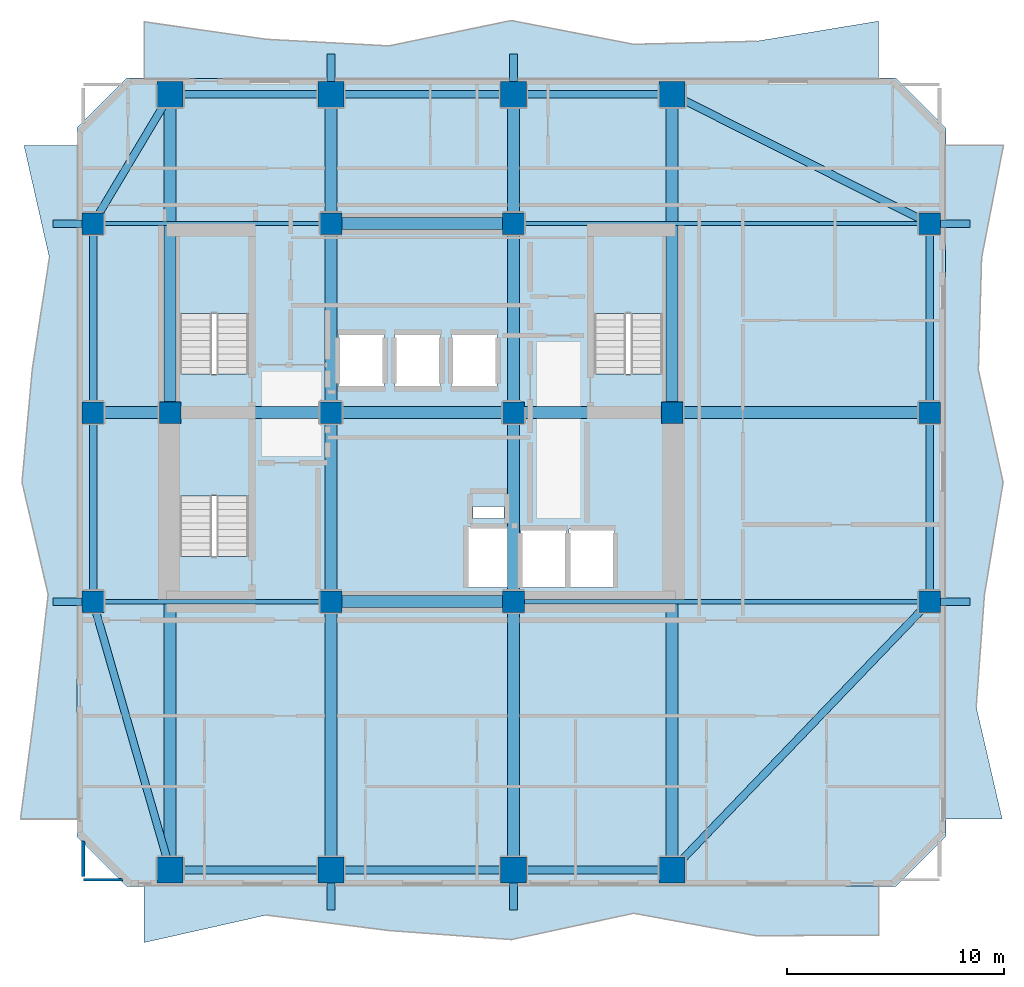
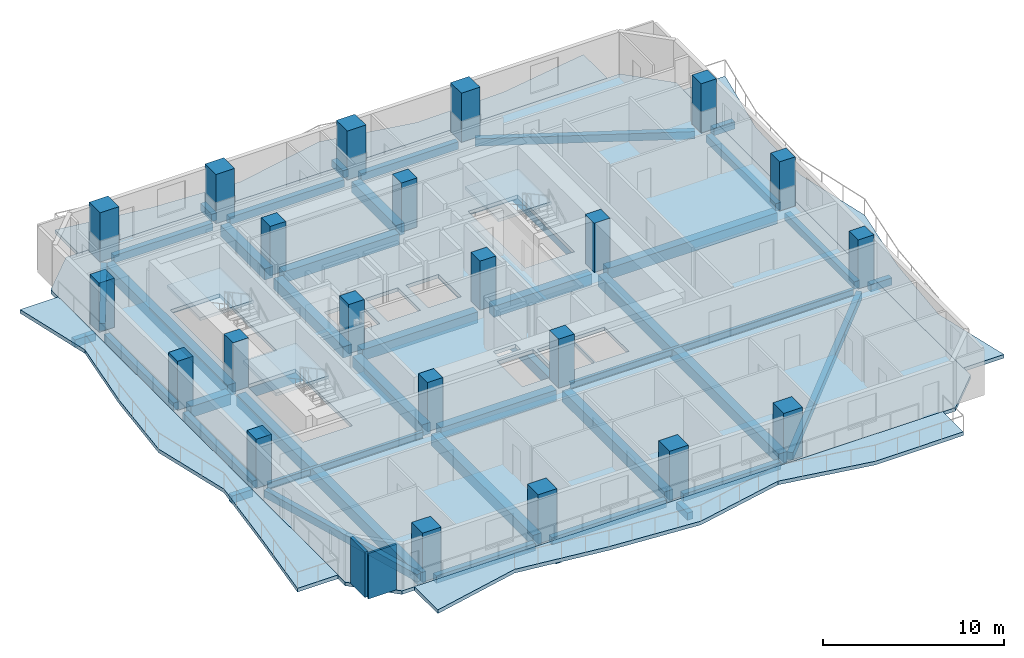
# One storey, part 1 of 9: 45 beams, 22 columns, 8 slabs, 2 walls, 3 elements without a shape of their own.
"""IFC4 building model written with IfcOpenShell, lengths in metres."""

import ifcopenshell
import ifcopenshell.guid

model = None  # the IFC model being written
_history = None  # IfcOwnerHistory: only IFC2X3 demands one
_inside = {}  # id of a spatial element -> (the spatial element, [elements in it])
_under = {}  # id of a project, library or spatial element -> (it, [spatial elements below it])
_declared = {}  # id of a project -> (the project, [libraries it declares])
_typed = {}  # id of a type object -> (the type object, [elements of that type])
_made_of = {}  # id of a material, layer set ... -> (it, [elements and type objects made of it])


def new_model(schema):
    """Start an empty IFC model of exactly this schema.

    Asked for "IFC4X3", IfcOpenShell would pick the latest addendum, in which some entities
    have other attributes; the version numbers below select the first issue.
    IFC2X3 requires an IfcOwnerHistory on every rooted entity: one is made here for all.
    """
    global model, _history
    if schema == "IFC4X3":
        model = ifcopenshell.file(schema_version=(4, 3, 0, 0))
    else:
        model = ifcopenshell.file(schema=schema)
    _inside.clear()
    _under.clear()
    _declared.clear()
    _typed.clear()
    _made_of.clear()
    _history = None
    if model.schema == "IFC2X3":
        org = make("IfcOrganization", Name="unknown")
        user = make(
            "IfcPersonAndOrganization",
            ThePerson=make("IfcPerson", FamilyName="unknown"),
            TheOrganization=org,
        )
        app = make(
            "IfcApplication",
            ApplicationDeveloper=org,
            Version="unknown",
            ApplicationFullName="unknown",
            ApplicationIdentifier="unknown",
        )
        _history = make(
            "IfcOwnerHistory",
            OwningUser=user,
            OwningApplication=app,
            ChangeAction="ADDED",
            CreationDate=0,
        )
    return model


def make(cls, **values):
    """One entity of the class cls with the attributes given. An attribute that is None is left unset."""
    return model.create_entity(
        cls, **{name: value for name, value in values.items() if value is not None}
    )


def rooted(cls, **values):
    """An entity with a GlobalId (a new one), such as an element, a storey or a relation."""
    return make(cls, GlobalId=ifcopenshell.guid.new(), OwnerHistory=_history, **values)


def si_unit(unit_type, name, prefix=None):
    """IfcSIUnit, for example si_unit("LENGTHUNIT", "METRE", prefix="MILLI")."""
    return make("IfcSIUnit", UnitType=unit_type, Prefix=prefix, Name=name)


def assignment(units):
    """IfcUnitAssignment: the units of a project."""
    return None if units is None else make("IfcUnitAssignment", Units=units)


def point(xyz):
    """IfcCartesianPoint."""
    return None if xyz is None else make("IfcCartesianPoint", Coordinates=xyz)


def direction(xyz):
    """IfcDirection."""
    return None if xyz is None else make("IfcDirection", DirectionRatios=xyz)


def frame(location, z_axis=None, x_axis=None):
    """IfcAxis2Placement3D, a coordinate frame: its origin and axes. An axis left out is left unset."""
    return make(
        "IfcAxis2Placement3D",
        Location=point(location),
        Axis=direction(z_axis),
        RefDirection=direction(x_axis),
    )


def frame_2d(location, x_axis=None):
    """IfcAxis2Placement2D, a coordinate frame in the plane: its origin and x axis."""
    return make(
        "IfcAxis2Placement2D", Location=point(location), RefDirection=direction(x_axis)
    )


def origin():
    """The frame at (0, 0, 0) with its axes left unset."""
    return frame((0.0, 0.0, 0.0))


def origin_2d():
    """The frame at (0, 0) in the plane with its x axis left unset."""
    return frame_2d((0.0, 0.0))


def place(relative_to, where):
    """IfcLocalPlacement: puts the frame where relative to a parent placement (None: the world)."""
    return make(
        "IfcLocalPlacement", PlacementRelTo=relative_to, RelativePlacement=where
    )


def context(
    kind, dimensions, precision=None, world=None, true_north=None, identifier=None
):
    """IfcGeometricRepresentationContext, for example the 3D "Model" context."""
    return make(
        "IfcGeometricRepresentationContext",
        ContextIdentifier=identifier,
        ContextType=kind,
        CoordinateSpaceDimension=dimensions,
        Precision=precision,
        WorldCoordinateSystem=world,
        TrueNorth=true_north,
    )


def subcontext(parent, identifier, kind, view, scale=None):
    """IfcGeometricRepresentationSubContext, for example "Body" below "Model"."""
    return make(
        "IfcGeometricRepresentationSubContext",
        ContextIdentifier=identifier,
        ContextType=kind,
        ParentContext=parent,
        TargetScale=scale,
        TargetView=view,
    )


def project(units=None, contexts=None):
    """IfcProject with its units and contexts."""
    return rooted(
        "IfcProject",
        Name="project",
        RepresentationContexts=contexts,
        UnitsInContext=assignment(units),
    )


def spatial(cls, under=None, at=None, **own):
    """A site, building, storey or space (cls), placed at a placement, below another one or the project."""
    s = rooted(cls, ObjectPlacement=at, **own)
    if under is not None:
        _under.setdefault(under.id(), (under, []))[1].append(s)
    return s


def polyline(points):
    """IfcPolyline through the points."""
    return make("IfcPolyline", Points=[point(p) for p in points])


def profile(cls, at=None, kind="AREA", **sizes):
    """A parametric profile (cls). Its sizes go by their IFC names, for example OverallWidth=200.0."""
    return make(cls, ProfileType=kind, Position=at, **sizes)


def rectangle(**sizes):
    """IfcRectangleProfileDef."""
    return profile("IfcRectangleProfileDef", **sizes)


def i_section(**sizes):
    """IfcIShapeProfileDef."""
    return profile("IfcIShapeProfileDef", **sizes)


def outline(outer, holes=None, kind="AREA"):
    """IfcArbitraryClosedProfileDef: a profile drawn as a closed curve; with holes, ...WithVoids."""
    if holes is None:
        return make("IfcArbitraryClosedProfileDef", ProfileType=kind, OuterCurve=outer)
    return make(
        "IfcArbitraryProfileDefWithVoids",
        ProfileType=kind,
        OuterCurve=outer,
        InnerCurves=holes,
    )


def extrude(swept, where, along, depth):
    """IfcExtrudedAreaSolid: the profile swept, set in the frame where, extruded along a direction by depth."""
    return make(
        "IfcExtrudedAreaSolid",
        SweptArea=swept,
        Position=where,
        ExtrudedDirection=direction(along),
        Depth=depth,
    )


def shape(context_of_items, identifier, shape_type, items):
    """IfcShapeRepresentation: the items that make up one representation, for example the "Body"."""
    return make(
        "IfcShapeRepresentation",
        ContextOfItems=context_of_items,
        RepresentationIdentifier=identifier,
        RepresentationType=shape_type,
        Items=items,
    )


def material(Name=None, Category=None):
    """IfcMaterial."""
    return make("IfcMaterial", Name=Name, Category=Category)


def layer(
    of_material, thickness, ventilated=None, Name=None, Category=None, Priority=None
):
    """IfcMaterialLayer: one layer of a wall or slab, of a material (None: an air gap)."""
    return make(
        "IfcMaterialLayer",
        Material=of_material,
        LayerThickness=thickness,
        IsVentilated=ventilated,
        Name=Name,
        Category=Category,
        Priority=Priority,
    )


def layer_set(layers, Name=None):
    """IfcMaterialLayerSet."""
    return make("IfcMaterialLayerSet", MaterialLayers=layers, LayerSetName=Name)


def material_profile(
    of_material, cross_section, Name=None, Category=None, Priority=None
):
    """IfcMaterialProfile: a cross section and its material."""
    return make(
        "IfcMaterialProfile",
        Name=Name,
        Material=of_material,
        Profile=cross_section,
        Priority=Priority,
        Category=Category,
    )


def profile_set(profiles, Name=None, composite=None):
    """IfcMaterialProfileSet."""
    return make(
        "IfcMaterialProfileSet",
        Name=Name,
        MaterialProfiles=profiles,
        CompositeProfile=composite,
    )


def made_of(thing, what):
    """Note that an element or type object is made of a material, layer set ...; save() writes the relation."""
    if what is not None:
        _made_of.setdefault(what.id(), (what, []))[1].append(thing)
    return thing


def type_object(cls, material=None, **own):
    """A type object (cls), such as IfcWallType, which elements share."""
    return made_of(rooted(cls, **own), material)


def element(
    cls,
    number,
    at=None,
    inside=None,
    cuts=None,
    type_object=None,
    material=None,
    context=None,
    identifier="Body",
    shape_type=None,
    held_by="IfcProductDefinitionShape",
    body=None,
    shapes=None,
    **own,
):
    """One element of the class cls, such as IfcWall. Its Tag is "e" and its number.

    at: its placement. inside: the storey or other place that contains it. cuts: it is an
    opening in that element (IfcRelVoidsElement). A single representation is given by context,
    identifier, shape_type and body (its items); several are given by shapes. held_by: the class
    of the entity that holds the representations. save() writes the other relations.
    """
    e = rooted(cls, Tag="e%d" % number, ObjectPlacement=at, **own)
    if body is not None:
        shapes = [shape(context, identifier, shape_type, body)]
    if shapes is not None:
        e.Representation = make(held_by, Representations=shapes)
    if inside is not None:
        _inside.setdefault(inside.id(), (inside, []))[1].append(e)
    if cuts is not None:
        rooted(
            "IfcRelVoidsElement", RelatingBuildingElement=cuts, RelatedOpeningElement=e
        )
    if type_object is not None:
        _typed.setdefault(type_object.id(), (type_object, []))[1].append(e)
    return made_of(e, material)


def aggregate(whole, parts):
    """IfcRelAggregates: a whole, such as a stair, and the parts it consists of."""
    return rooted("IfcRelAggregates", RelatingObject=whole, RelatedObjects=parts)


def save(model, path):
    """Write the relations noted so far, then the file.

    IfcRelAggregates (storeys below a building ...), IfcRelContainedInSpatialStructure (elements
    in a storey), IfcRelDefinesByType, IfcRelAssociatesMaterial and IfcRelDeclares: one each for
    every whole, place, type object, material and project.
    """
    for whole, parts in _under.values():
        aggregate(whole, parts)
    for where, things in _inside.values():
        rooted(
            "IfcRelContainedInSpatialStructure",
            RelatedElements=things,
            RelatingStructure=where,
        )
    for kind, things in _typed.values():
        rooted("IfcRelDefinesByType", RelatedObjects=things, RelatingType=kind)
    for what, things in _made_of.values():
        rooted("IfcRelAssociatesMaterial", RelatedObjects=things, RelatingMaterial=what)
    for by, libraries in _declared.values():
        rooted("IfcRelDeclares", RelatingContext=by, RelatedDefinitions=libraries)
    model.write(path)


model = new_model("IFC4")

# Units and contexts
model_context = context("Model", 3, precision=1e-05, world=origin(), true_north=direction((0.0, 1.0)))
body_context = subcontext(model_context, "Body", "Model", "MODEL_VIEW")
ifc_project = project(units=[si_unit("LENGTHUNIT", "METRE"), si_unit("AREAUNIT", "SQUARE_METRE"), si_unit("VOLUMEUNIT", "CUBIC_METRE"), si_unit("PLANEANGLEUNIT", "RADIAN"), si_unit("MASSUNIT", "GRAM", prefix="KILO")], contexts=[model_context])

# Site, building, storey
site_placement = place(None, origin())
site = spatial("IfcSite", under=ifc_project, at=site_placement, CompositionType="ELEMENT")
building_placement = place(site_placement, origin())
building = spatial("IfcBuilding", under=site, at=building_placement, Name="Solanera Arch Residences", CompositionType="ELEMENT")
storey_placement = place(building_placement, frame((0.0, 0.0, 129.320068359375)))
storey = spatial("IfcBuildingStorey", under=building, at=storey_placement, Name="L37", CompositionType="ELEMENT", Elevation=129.320068359375)

# Columns
ifc_material_1 = material(Name="Concrete C55/67 (f'c = 60 MPa)", Category="concrete")
ifc_material_profile_1 = material_profile(ifc_material_1, rectangle(XDim=1.0, YDim=1.0, at=origin_2d()))
ifc_profile_set_1 = profile_set([ifc_material_profile_1], Name="Concrete C55/67 (f'c = 60 MPa)")
column_type_1 = type_object("IfcColumnType", Name="Structural Column RC-COL-1000X1000", PredefinedType="COLUMN", material=ifc_profile_set_1)
for number, where, z_axis, x_axis, name in (
    (1, (20.800048828125, 22.0, 0.0), (0.0, 0.0, 1.0), (1.0, 0.0, 0.0), "COL-L37-CB-SW"),
    (2, (29.199951171875, 22.0, 0.0), (0.0, 0.0, 1.0), (1.0, 0.0, 0.0), "COL-L37-CB-SE"),
    (3, (20.800048828125, 39.39990234375, 0.0), (0.0, 0.0, 1.0), (1.0, 0.0, 0.0), "COL-L37-CB-NW"),
    (4, (29.199951171875, 39.39990234375, 0.0), (0.0, 0.0, 1.0), (1.0, 0.0, 0.0), "COL-L37-CB-NE"),
    (5, (13.39990234375, 30.699951171875, 0.0), (0.0, 0.0, 1.0), (1.0, 0.0, 0.0), "COL-L37-CB-WW"),
    (6, (36.5, 30.699951171875, 0.0), (0.0, 0.0, 1.0), (1.0, 0.0, 0.0), "COL-L37-CB-EE"),
    (7, (20.800048828125, 30.699951171875, 0.0), (0.0, 0.0, 1.0), (1.0, 0.0, 0.0), "COL-L37-CORE-W"),
    (8, (29.199951171875, 30.699951171875, 0.0), (0.0, 0.0, 1.0), (1.0, 0.0, 0.0), "COL-L37-CORE-E"),
    (9, (9.85009765625, 22.0, 0.0), (0.0, 0.0, 1.0), (1.0, 0.0, 0.0), "COL-L37-TWR-09"),
    (10, (48.35009765625, 22.0, 0.0), (0.0, 0.0, 1.0), (1.0, 0.0, 0.0), "COL-L37-TWR-10"),
    (11, (9.85009765625, 30.699951171875, 0.0), (0.0, 0.0, 1.0), (1.0, 0.0, 0.0), "COL-L37-TWR-11"),
    (12, (48.35009765625, 30.699951171875, 0.0), (0.0, 0.0, 1.0), (1.0, 0.0, 0.0), "COL-L37-TWR-12"),
    (13, (9.85009765625, 39.39990234375, 0.0), (0.0, 0.0, 1.0), (1.0, 0.0, 0.0), "COL-L37-TWR-13"),
    (14, (48.35009765625, 39.39990234375, 0.0), (0.0, 0.0, 1.0), (1.0, 0.0, 0.0), "COL-L37-TWR-14"),
):
    element("IfcColumn", number, at=place(storey_placement, frame(where, z_axis=z_axis, x_axis=x_axis)), inside=storey, type_object=column_type_1, Name=name, PredefinedType="COLUMN", context=body_context, shape_type="SweptSolid", body=[
        extrude(rectangle(XDim=1.0, YDim=1.0, at=origin_2d()), origin(), (0.0, 0.0, 1.0), 3.31982421875),
    ])
ifc_material_2 = material(Name="Concrete C55/67 (f'c = 60 MPa)", Category="concrete")
ifc_material_profile_2 = material_profile(ifc_material_2, rectangle(XDim=1.199951171875, YDim=1.199951171875, at=origin_2d()))
ifc_profile_set_2 = profile_set([ifc_material_profile_2], Name="Concrete C55/67 (f'c = 60 MPa)")
column_type_2 = type_object("IfcColumnType", Name="Structural Column RC-COL-1200X1200", PredefinedType="COLUMN", material=ifc_profile_set_2)
for number, where, z_axis, x_axis, name in (
    (15, (13.39990234375, 9.64990234375, 0.0), (0.0, 0.0, 1.0), (1.0, 0.0, 0.0), "COL-L37-TWR-01"),
    (16, (13.39990234375, 45.35009765625, 0.0), (0.0, 0.0, 1.0), (1.0, 0.0, 0.0), "COL-L37-TWR-02"),
    (17, (20.800048828125, 9.64990234375, 0.0), (0.0, 0.0, 1.0), (1.0, 0.0, 0.0), "COL-L37-TWR-03"),
    (18, (20.800048828125, 45.35009765625, 0.0), (0.0, 0.0, 1.0), (1.0, 0.0, 0.0), "COL-L37-TWR-04"),
    (19, (29.199951171875, 9.64990234375, 0.0), (0.0, 0.0, 1.0), (1.0, 0.0, 0.0), "COL-L37-TWR-05"),
    (20, (29.199951171875, 45.35009765625, 0.0), (0.0, 0.0, 1.0), (1.0, 0.0, 0.0), "COL-L37-TWR-06"),
    (21, (36.5, 9.64990234375, 0.0), (0.0, 0.0, 1.0), (1.0, 0.0, 0.0), "COL-L37-TWR-07"),
    (22, (36.5, 45.35009765625, 0.0), (0.0, 0.0, 1.0), (1.0, 0.0, 0.0), "COL-L37-TWR-08"),
):
    element("IfcColumn", number, at=place(storey_placement, frame(where, z_axis=z_axis, x_axis=x_axis)), inside=storey, type_object=column_type_2, Name=name, PredefinedType="COLUMN", context=body_context, shape_type="SweptSolid", body=[
        extrude(rectangle(XDim=1.199951171875, YDim=1.199951171875, at=origin_2d()), origin(), (0.0, 0.0, 1.0), 3.31982421875),
    ])

# Beams
ifc_material_3 = material(Name="Concrete C40/50 (f'c = 45 MPa)", Category="concrete")
ifc_material_profile_3 = material_profile(ifc_material_3, rectangle(XDim=0.35009765625, YDim=0.5, at=origin_2d()))
ifc_profile_set_3 = profile_set([ifc_material_profile_3], Name="Concrete C40/50 (f'c = 45 MPa)")
beam_type_1 = type_object("IfcBeamType", Name="BM-BALC-RIB", PredefinedType="BEAM", material=ifc_profile_set_3)
for number, where, z_axis, x_axis, name in (
    (23, (20.800048828125, 7.800048828125, -0.5), (0.0, 1.0, 0.0), (-1.0, 0.0, 0.0), "BM-L37-BRIB-S1"),
    (24, (29.199951171875, 7.800048828125, -0.5), (0.0, 1.0, 0.0), (-1.0, 0.0, 0.0), "BM-L37-BRIB-S2"),
    (25, (20.800048828125, 45.949951171875, -0.5), (0.0, 1.0, 0.0), (-1.0, 0.0, 0.0), "BM-L37-BRIB-N1"),
    (26, (29.199951171875, 45.949951171875, -0.5), (0.0, 1.0, 0.0), (-1.0, 0.0, 0.0), "BM-L37-BRIB-N2"),
):
    element("IfcBeam", number, at=place(storey_placement, frame(where, z_axis=z_axis, x_axis=x_axis)), inside=storey, type_object=beam_type_1, Name=name, PredefinedType="BEAM", context=body_context, shape_type="SweptSolid", body=[
        extrude(rectangle(XDim=0.35009765625, YDim=0.5, at=origin_2d()), origin(), (0.0, 0.0, 1.0), 1.25),
    ])
for number, where, z_axis, x_axis, name in (
    (27, (48.85009765625, 22.0, -0.5), (1.0, 0.0, 0.0), (0.0, 1.0, 0.0), "BM-L37-BRIB-E1"),
    (28, (48.85009765625, 39.39990234375, -0.5), (1.0, 0.0, 0.0), (0.0, 1.0, 0.0), "BM-L37-BRIB-E2"),
):
    element("IfcBeam", number, at=place(storey_placement, frame(where, z_axis=z_axis, x_axis=x_axis)), inside=storey, type_object=beam_type_1, Name=name, PredefinedType="BEAM", context=body_context, shape_type="SweptSolid", body=[
        extrude(rectangle(XDim=0.35009765625, YDim=0.5, at=origin_2d()), origin(), (0.0, 0.0, 1.0), 1.349853515625),
    ])
for number, where, z_axis, x_axis, name in (
    (29, (8.0, 22.0, -0.5), (1.0, 0.0, 0.0), (0.0, 1.0, 0.0), "BM-L37-BRIB-W1"),
    (30, (8.0, 39.39990234375, -0.5), (1.0, 0.0, 0.0), (0.0, 1.0, 0.0), "BM-L37-BRIB-W2"),
):
    element("IfcBeam", number, at=place(storey_placement, frame(where, z_axis=z_axis, x_axis=x_axis)), inside=storey, type_object=beam_type_1, Name=name, PredefinedType="BEAM", context=body_context, shape_type="SweptSolid", body=[
        extrude(rectangle(XDim=0.35009765625, YDim=0.5, at=origin_2d()), origin(), (0.0, 0.0, 1.0), 1.35009765625),
    ])
ifc_material_4 = material(Name="Concrete C40/50 (f'c = 45 MPa)", Category="concrete")
ifc_material_profile_4 = material_profile(ifc_material_4, rectangle(XDim=0.550048828125, YDim=0.75, at=origin_2d()))
ifc_profile_set_4 = profile_set([ifc_material_profile_4], Name="Concrete C40/50 (f'c = 45 MPa)")
beam_type_2 = type_object("IfcBeamType", Name="Primary Beam RC-BM-550X750", PredefinedType="BEAM", material=ifc_profile_set_4)
beam_1_placement = place(storey_placement, frame((20.800048828125, 22.50390625, -0.614990234375), z_axis=(0.0, 1.0, 0.0), x_axis=(-1.0, 0.0, 0.0)))
element("IfcBeam", 31, at=beam_1_placement, inside=storey, type_object=beam_type_2, Name="BM-L37-CC-S-208", PredefinedType="BEAM", context=body_context, shape_type="SweptSolid", body=[
    extrude(rectangle(XDim=0.550048828125, YDim=0.75, at=origin_2d()), origin(), (0.0, 0.0, 1.0), 7.692138671875),
])
beam_2_placement = place(storey_placement, frame((20.800048828125, 31.2041015625, -0.614990234375), z_axis=(0.0, 1.0, 0.0), x_axis=(-1.0, 0.0, 0.0)))
element("IfcBeam", 32, at=beam_2_placement, inside=storey, type_object=beam_type_2, Name="BM-L37-CC-N-208", PredefinedType="BEAM", context=body_context, shape_type="SweptSolid", body=[
    extrude(rectangle(XDim=0.550048828125, YDim=0.75, at=origin_2d()), origin(), (0.0, 0.0, 1.0), 7.69189453125),
])
beam_3_placement = place(storey_placement, frame((29.199951171875, 22.50390625, -0.614990234375), z_axis=(0.0, 1.0, 0.0), x_axis=(-1.0, 0.0, 0.0)))
element("IfcBeam", 33, at=beam_3_placement, inside=storey, type_object=beam_type_2, Name="BM-L37-CC-S-292", PredefinedType="BEAM", context=body_context, shape_type="SweptSolid", body=[
    extrude(rectangle(XDim=0.550048828125, YDim=0.75, at=origin_2d()), origin(), (0.0, 0.0, 1.0), 7.692138671875),
])
beam_4_placement = place(storey_placement, frame((29.199951171875, 31.2041015625, -0.614990234375), z_axis=(0.0, 1.0, 0.0), x_axis=(-1.0, 0.0, 0.0)))
element("IfcBeam", 34, at=beam_4_placement, inside=storey, type_object=beam_type_2, Name="BM-L37-CC-N-292", PredefinedType="BEAM", context=body_context, shape_type="SweptSolid", body=[
    extrude(rectangle(XDim=0.550048828125, YDim=0.75, at=origin_2d()), origin(), (0.0, 0.0, 1.0), 7.69189453125),
])
for number, where, z_axis, x_axis, name in (
    (35, (21.303955078125, 22.0, -0.614990234375), (1.0, 0.0, 0.0), (0.0, 1.0, 0.0), "BM-L37-CC-M-220"),
    (36, (21.303955078125, 30.699951171875, -0.614990234375), (1.0, 0.0, 0.0), (0.0, 1.0, 0.0), "BM-L37-CC-M-307"),
    (37, (21.303955078125, 39.39990234375, -0.614990234375), (1.0, 0.0, 0.0), (0.0, 1.0, 0.0), "BM-L37-CC-M-394"),
):
    element("IfcBeam", number, at=place(storey_placement, frame(where, z_axis=z_axis, x_axis=x_axis)), inside=storey, type_object=beam_type_2, Name=name, PredefinedType="BEAM", context=body_context, shape_type="SweptSolid", body=[
        extrude(rectangle(XDim=0.550048828125, YDim=0.75, at=origin_2d()), origin(), (0.0, 0.0, 1.0), 7.39208984375),
    ])
beam_5_placement = place(storey_placement, frame((13.904052734375, 30.699951171875, -0.614990234375), z_axis=(1.0, 0.0, 0.0), x_axis=(0.0, 1.0, 0.0)))
element("IfcBeam", 38, at=beam_5_placement, inside=storey, type_object=beam_type_2, Name="BM-L37-CC-W", PredefinedType="BEAM", context=body_context, shape_type="SweptSolid", body=[
    extrude(rectangle(XDim=0.550048828125, YDim=0.75, at=origin_2d()), origin(), (0.0, 0.0, 1.0), 6.391845703125),
])
beam_6_placement = place(storey_placement, frame((29.7041015625, 30.699951171875, -0.614990234375), z_axis=(1.0, 0.0, 0.0), x_axis=(0.0, 1.0, 0.0)))
element("IfcBeam", 39, at=beam_6_placement, inside=storey, type_object=beam_type_2, Name="BM-L37-CC-E", PredefinedType="BEAM", context=body_context, shape_type="SweptSolid", body=[
    extrude(rectangle(XDim=0.550048828125, YDim=0.75, at=origin_2d()), origin(), (0.0, 0.0, 1.0), 6.2919921875),
])
beam_7_placement = place(storey_placement, frame((20.800048828125, 10.18994140625, -0.614990234375), z_axis=(0.0, 1.0, 0.0), x_axis=(-1.0, 0.0, 0.0)))
element("IfcBeam", 40, at=beam_7_placement, inside=storey, type_object=beam_type_2, Name="BM-L37-RAD-S-208", PredefinedType="BEAM", context=body_context, shape_type="SweptSolid", body=[
    extrude(rectangle(XDim=0.550048828125, YDim=0.75, at=origin_2d()), origin(), (0.0, 0.0, 1.0), 11.30615234375),
])
beam_8_placement = place(storey_placement, frame((20.800048828125, 39.904052734375, -0.614990234375), z_axis=(0.0, 1.0, 0.0), x_axis=(-1.0, 0.0, 0.0)))
element("IfcBeam", 41, at=beam_8_placement, inside=storey, type_object=beam_type_2, Name="BM-L37-RAD-N-208", PredefinedType="BEAM", context=body_context, shape_type="SweptSolid", body=[
    extrude(rectangle(XDim=0.550048828125, YDim=0.75, at=origin_2d()), origin(), (0.0, 0.0, 1.0), 4.906005859375),
])
beam_9_placement = place(storey_placement, frame((29.199951171875, 10.18994140625, -0.614990234375), z_axis=(0.0, 1.0, 0.0), x_axis=(-1.0, 0.0, 0.0)))
element("IfcBeam", 42, at=beam_9_placement, inside=storey, type_object=beam_type_2, Name="BM-L37-RAD-S-292", PredefinedType="BEAM", context=body_context, shape_type="SweptSolid", body=[
    extrude(rectangle(XDim=0.550048828125, YDim=0.75, at=origin_2d()), origin(), (0.0, 0.0, 1.0), 11.30615234375),
])
beam_10_placement = place(storey_placement, frame((29.199951171875, 39.904052734375, -0.614990234375), z_axis=(0.0, 1.0, 0.0), x_axis=(-1.0, 0.0, 0.0)))
element("IfcBeam", 43, at=beam_10_placement, inside=storey, type_object=beam_type_2, Name="BM-L37-RAD-N-292", PredefinedType="BEAM", context=body_context, shape_type="SweptSolid", body=[
    extrude(rectangle(XDim=0.550048828125, YDim=0.75, at=origin_2d()), origin(), (0.0, 0.0, 1.0), 4.906005859375),
])
beam_11_placement = place(storey_placement, frame((13.39990234375, 10.18994140625, -0.614990234375), z_axis=(0.0, 1.0, 0.0), x_axis=(-1.0, 0.0, 0.0)))
element("IfcBeam", 44, at=beam_11_placement, inside=storey, type_object=beam_type_2, Name="BM-L37-RAD-OS-134", PredefinedType="BEAM", context=body_context, shape_type="SweptSolid", body=[
    extrude(rectangle(XDim=0.550048828125, YDim=0.75, at=origin_2d()), origin(), (0.0, 0.0, 1.0), 20.006103515625),
])
beam_12_placement = place(storey_placement, frame((13.39990234375, 31.2041015625, -0.614990234375), z_axis=(0.0, 1.0, 0.0), x_axis=(-1.0, 0.0, 0.0)))
element("IfcBeam", 45, at=beam_12_placement, inside=storey, type_object=beam_type_2, Name="BM-L37-RAD-ON-134", PredefinedType="BEAM", context=body_context, shape_type="SweptSolid", body=[
    extrude(rectangle(XDim=0.550048828125, YDim=0.75, at=origin_2d()), origin(), (0.0, 0.0, 1.0), 13.60595703125),
])
beam_13_placement = place(storey_placement, frame((36.5, 10.18994140625, -0.614990234375), z_axis=(0.0, 1.0, 0.0), x_axis=(-1.0, 0.0, 0.0)))
element("IfcBeam", 46, at=beam_13_placement, inside=storey, type_object=beam_type_2, Name="BM-L37-RAD-OS-365", PredefinedType="BEAM", context=body_context, shape_type="SweptSolid", body=[
    extrude(rectangle(XDim=0.550048828125, YDim=0.75, at=origin_2d()), origin(), (0.0, 0.0, 1.0), 20.006103515625),
])
beam_14_placement = place(storey_placement, frame((36.5, 31.2041015625, -0.614990234375), z_axis=(0.0, 1.0, 0.0), x_axis=(-1.0, 0.0, 0.0)))
element("IfcBeam", 47, at=beam_14_placement, inside=storey, type_object=beam_type_2, Name="BM-L37-RAD-ON-365", PredefinedType="BEAM", context=body_context, shape_type="SweptSolid", body=[
    extrude(rectangle(XDim=0.550048828125, YDim=0.75, at=origin_2d()), origin(), (0.0, 0.0, 1.0), 13.60595703125),
])
beam_15_placement = place(storey_placement, frame((10.35400390625, 30.699951171875, -0.614990234375), z_axis=(1.0, 0.0, 0.0), x_axis=(0.0, 1.0, 0.0)))
element("IfcBeam", 48, at=beam_15_placement, inside=storey, type_object=beam_type_2, Name="BM-L37-RAD-MW", PredefinedType="BEAM", context=body_context, shape_type="SweptSolid", body=[
    extrude(rectangle(XDim=0.550048828125, YDim=0.75, at=origin_2d()), origin(), (0.0, 0.0, 1.0), 2.5419921875),
])
beam_16_placement = place(storey_placement, frame((37.00390625, 30.699951171875, -0.614990234375), z_axis=(1.0, 0.0, 0.0), x_axis=(0.0, 1.0, 0.0)))
element("IfcBeam", 49, at=beam_16_placement, inside=storey, type_object=beam_type_2, Name="BM-L37-RAD-ME", PredefinedType="BEAM", context=body_context, shape_type="SweptSolid", body=[
    extrude(rectangle(XDim=0.550048828125, YDim=0.75, at=origin_2d()), origin(), (0.0, 0.0, 1.0), 10.842041015625),
])
ifc_material_5 = material(Name="Steel S355 (ASTM A992 / A572 Grade 50)", Category="steel")
ifc_material_profile_5 = material_profile(ifc_material_5, i_section(OverallWidth=0.19091796875, OverallDepth=0.4599609375, WebThickness=0.010009765625, FlangeThickness=0.01611328125, at=origin_2d()))
ifc_profile_set_5 = profile_set([ifc_material_profile_5], Name="Steel S355 (ASTM A992 / A572 Grade 50)")
beam_type_3 = type_object("IfcBeamType", Name="Secondary Joist W460X82", PredefinedType="JOIST", material=ifc_profile_set_5)
beam_17_placement = place(storey_placement, frame((10.35400390625, 22.0, -0.469970703125), z_axis=(1.0, 0.0, 0.0), x_axis=(0.0, 1.0, 0.0)))
element("IfcBeam", 50, at=beam_17_placement, inside=storey, type_object=beam_type_3, Name="BM-L37-RAD-W-220", PredefinedType="JOIST", context=body_context, shape_type="SweptSolid", body=[
    extrude(i_section(OverallWidth=0.19091796875, OverallDepth=0.4599609375, WebThickness=0.010009765625, FlangeThickness=0.01611328125, at=origin_2d()), origin(), (0.0, 0.0, 1.0), 9.94189453125),
])
beam_18_placement = place(storey_placement, frame((29.7041015625, 22.0, -0.469970703125), z_axis=(1.0, 0.0, 0.0), x_axis=(0.0, 1.0, 0.0)))
element("IfcBeam", 51, at=beam_18_placement, inside=storey, type_object=beam_type_3, Name="BM-L37-RAD-E-220", PredefinedType="JOIST", context=body_context, shape_type="SweptSolid", body=[
    extrude(i_section(OverallWidth=0.19091796875, OverallDepth=0.4599609375, WebThickness=0.010009765625, FlangeThickness=0.01611328125, at=origin_2d()), origin(), (0.0, 0.0, 1.0), 18.141845703125),
])
beam_19_placement = place(storey_placement, frame((10.35400390625, 39.39990234375, -0.469970703125), z_axis=(1.0, 0.0, 0.0), x_axis=(0.0, 1.0, 0.0)))
element("IfcBeam", 52, at=beam_19_placement, inside=storey, type_object=beam_type_3, Name="BM-L37-RAD-W-394", PredefinedType="JOIST", context=body_context, shape_type="SweptSolid", body=[
    extrude(i_section(OverallWidth=0.19091796875, OverallDepth=0.4599609375, WebThickness=0.010009765625, FlangeThickness=0.01611328125, at=origin_2d()), origin(), (0.0, 0.0, 1.0), 9.94189453125),
])
beam_20_placement = place(storey_placement, frame((29.7041015625, 39.39990234375, -0.469970703125), z_axis=(1.0, 0.0, 0.0), x_axis=(0.0, 1.0, 0.0)))
element("IfcBeam", 53, at=beam_20_placement, inside=storey, type_object=beam_type_3, Name="BM-L37-RAD-E-394", PredefinedType="JOIST", context=body_context, shape_type="SweptSolid", body=[
    extrude(i_section(OverallWidth=0.19091796875, OverallDepth=0.4599609375, WebThickness=0.010009765625, FlangeThickness=0.01611328125, at=origin_2d()), origin(), (0.0, 0.0, 1.0), 18.141845703125),
])
ifc_material_6 = material(Name="Concrete C40/50 (f'c = 45 MPa)", Category="concrete")
ifc_material_profile_6 = material_profile(ifc_material_6, rectangle(XDim=0.35009765625, YDim=0.5, at=origin_2d()))
ifc_profile_set_6 = profile_set([ifc_material_profile_6], Name="Concrete C40/50 (f'c = 45 MPa)")
beam_type_4 = type_object("IfcBeamType", Name="Spandrel Beam RC-BM-350X500", PredefinedType="SPANDREL", material=ifc_profile_set_6)
for number, where, z_axis, x_axis, name in (
    (54, (13.93994140625, 9.64990234375, -0.489990234375), (1.0, 0.0, 0.0), (0.0, 1.0, 0.0), "BM-L37-SPN-S-1"),
    (55, (13.93994140625, 45.35009765625, -0.489990234375), (1.0, 0.0, 0.0), (0.0, 1.0, 0.0), "BM-L37-SPN-N-1"),
):
    element("IfcBeam", number, at=place(storey_placement, frame(where, z_axis=z_axis, x_axis=x_axis)), inside=storey, type_object=beam_type_4, Name=name, PredefinedType="SPANDREL", context=body_context, shape_type="SweptSolid", body=[
        extrude(rectangle(XDim=0.35009765625, YDim=0.5, at=origin_2d()), origin(), (0.0, 0.0, 1.0), 6.320068359375),
    ])
for number, where, z_axis, x_axis, name in (
    (56, (21.340087890625, 9.64990234375, -0.489990234375), (1.0, 0.0, 0.0), (0.0, 1.0, 0.0), "BM-L37-SPN-S-2"),
    (57, (21.340087890625, 45.35009765625, -0.489990234375), (1.0, 0.0, 0.0), (0.0, 1.0, 0.0), "BM-L37-SPN-N-2"),
):
    element("IfcBeam", number, at=place(storey_placement, frame(where, z_axis=z_axis, x_axis=x_axis)), inside=storey, type_object=beam_type_4, Name=name, PredefinedType="SPANDREL", context=body_context, shape_type="SweptSolid", body=[
        extrude(rectangle(XDim=0.35009765625, YDim=0.5, at=origin_2d()), origin(), (0.0, 0.0, 1.0), 7.31982421875),
    ])
for number, where, z_axis, x_axis, name in (
    (58, (29.739990234375, 9.64990234375, -0.489990234375), (1.0, 0.0, 0.0), (0.0, 1.0, 0.0), "BM-L37-SPN-S-3"),
    (59, (29.739990234375, 45.35009765625, -0.489990234375), (1.0, 0.0, 0.0), (0.0, 1.0, 0.0), "BM-L37-SPN-N-3"),
):
    element("IfcBeam", number, at=place(storey_placement, frame(where, z_axis=z_axis, x_axis=x_axis)), inside=storey, type_object=beam_type_4, Name=name, PredefinedType="SPANDREL", context=body_context, shape_type="SweptSolid", body=[
        extrude(rectangle(XDim=0.35009765625, YDim=0.5, at=origin_2d()), origin(), (0.0, 0.0, 1.0), 6.219970703125),
    ])
for number, where, z_axis, x_axis, name in (
    (60, (9.85009765625, 22.50390625, -0.489990234375), (0.0, 1.0, 0.0), (-1.0, 0.0, 0.0), "BM-L37-SPN-W-1"),
    (61, (48.35009765625, 22.50390625, -0.489990234375), (0.0, 1.0, 0.0), (-1.0, 0.0, 0.0), "BM-L37-SPN-E-1"),
):
    element("IfcBeam", number, at=place(storey_placement, frame(where, z_axis=z_axis, x_axis=x_axis)), inside=storey, type_object=beam_type_4, Name=name, PredefinedType="SPANDREL", context=body_context, shape_type="SweptSolid", body=[
        extrude(rectangle(XDim=0.35009765625, YDim=0.5, at=origin_2d()), origin(), (0.0, 0.0, 1.0), 7.692138671875),
    ])
for number, where, z_axis, x_axis, name in (
    (62, (9.85009765625, 31.2041015625, -0.489990234375), (0.0, 1.0, 0.0), (-1.0, 0.0, 0.0), "BM-L37-SPN-W-2"),
    (63, (48.35009765625, 31.2041015625, -0.489990234375), (0.0, 1.0, 0.0), (-1.0, 0.0, 0.0), "BM-L37-SPN-E-2"),
):
    element("IfcBeam", number, at=place(storey_placement, frame(where, z_axis=z_axis, x_axis=x_axis)), inside=storey, type_object=beam_type_4, Name=name, PredefinedType="SPANDREL", context=body_context, shape_type="SweptSolid", body=[
        extrude(rectangle(XDim=0.35009765625, YDim=0.5, at=origin_2d()), origin(), (0.0, 0.0, 1.0), 7.69189453125),
    ])
beam_21_placement = place(storey_placement, frame((13.2509765625, 10.1689453125, -0.489990234375), z_axis=(-0.276252894432, 0.961084979759, 0.0), x_axis=(-0.961084979759, -0.276252894432, 0.0)))
element("IfcBeam", 64, at=beam_21_placement, inside=storey, type_object=beam_type_4, Name="BM-L37-SPN-SW", PredefinedType="SPANDREL", context=body_context, shape_type="SweptSolid", body=[
    extrude(rectangle(XDim=0.35009765625, YDim=0.5, at=origin_2d()), origin(), (0.0, 0.0, 1.0), 11.785888671875),
])
beam_22_placement = place(storey_placement, frame((13.123046875, 44.885986328125, -0.489990234375), z_axis=(-0.512345287807, -0.858779544506, 0.0), x_axis=(0.858779544506, -0.512345287807, 0.0)))
element("IfcBeam", 65, at=beam_22_placement, inside=storey, type_object=beam_type_4, Name="BM-L37-SPN-NW", PredefinedType="SPANDREL", context=body_context, shape_type="SweptSolid", body=[
    extrude(rectangle(XDim=0.35009765625, YDim=0.5, at=origin_2d()), origin(), (0.0, 0.0, 1.0), 5.847900390625),
])
beam_23_placement = place(storey_placement, frame((36.8740234375, 10.0400390625, -0.489990234375), z_axis=(0.692362566924, 0.721549773697, 0.0), x_axis=(-0.721549773697, 0.692362566924, 0.0)))
element("IfcBeam", 66, at=beam_23_placement, inside=storey, type_object=beam_type_4, Name="BM-L37-SPN-SE", PredefinedType="SPANDREL", context=body_context, shape_type="SweptSolid", body=[
    extrude(rectangle(XDim=0.35009765625, YDim=0.5, at=origin_2d()), origin(), (0.0, 0.0, 1.0), 16.034912109375),
])
beam_24_placement = place(storey_placement, frame((36.98291015625, 45.10791015625, -0.489990234375), z_axis=(0.893644053725, -0.448776453529, 0.0), x_axis=(0.448776453529, 0.893644053725, 0.0)))
element("IfcBeam", 67, at=beam_24_placement, inside=storey, type_object=beam_type_4, Name="BM-L37-SPN-NE", PredefinedType="SPANDREL", context=body_context, shape_type="SweptSolid", body=[
    extrude(rectangle(XDim=0.35009765625, YDim=0.5, at=origin_2d()), origin(), (0.0, 0.0, 1.0), 12.179443359375),
])

# Slabs
ifc_material_7 = material(Name="Concrete C40/50 (f'c = 45 MPa)", Category="concrete")
ifc_layer_1 = layer(ifc_material_7, 0.25)
ifc_layer_set_1 = layer_set([ifc_layer_1], Name="Concrete C40/50 (f'c = 45 MPa)")
slab_type_1 = type_object("IfcSlabType", Name="Balcony Slab 250", PredefinedType="FLOOR", material=ifc_layer_set_1)
slab_1_placement = place(storey_placement, frame((0.0, 0.0, -0.25)))
element("IfcSlab", 68, at=slab_1_placement, inside=storey, type_object=slab_type_1, Name="L37 S Rippling Brise-Soleil Balcony Slab", PredefinedType="FLOOR", context=body_context, shape_type="SweptSolid", body=[
    extrude(outline(polyline([(12.199951171875, 6.31103515625), (17.8330078125, 7.5791015625), (23.467041015625, 6.866943359375), (29.10009765625, 6.450927734375), (34.73291015625, 7.660888671875), (40.366943359375, 6.62890625), (46.0, 6.654052734375), (46.0, 8.919921875), (12.199951171875, 8.919921875), (12.199951171875, 6.31103515625)])), origin(), (0.0, 0.0, 1.0), 0.25),
])
slab_2_placement = place(storey_placement, frame((0.0, 0.0, -0.25)))
element("IfcSlab", 69, at=slab_2_placement, inside=storey, type_object=slab_type_1, Name="L37 N Rippling Brise-Soleil Balcony Slab", PredefinedType="FLOOR", context=body_context, shape_type="SweptSolid", body=[
    extrude(outline(polyline([(46.0, 48.720947265625), (40.366943359375, 47.7939453125), (34.73291015625, 47.653076171875), (29.10009765625, 48.748046875), (23.467041015625, 47.5791015625), (17.8330078125, 47.883056640625), (12.199951171875, 48.68896484375), (12.199951171875, 46.080078125), (46.0, 46.080078125), (46.0, 48.720947265625)])), origin(), (0.0, 0.0, 1.0), 0.25),
])
slab_3_placement = place(storey_placement, frame((0.0, 0.0, -0.25)))
element("IfcSlab", 70, at=slab_3_placement, inside=storey, type_object=slab_type_1, Name="L37 E Rippling Brise-Soleil Balcony Slab", PredefinedType="FLOOR", context=body_context, shape_type="SweptSolid", body=[
    extrude(outline(polyline([(51.68896484375, 12.0), (50.493896484375, 17.1669921875), (50.8740234375, 22.3330078125), (51.73193359375, 27.5), (50.593017578125, 32.6669921875), (50.742919921875, 37.8330078125), (51.75, 43.0), (49.080078125, 43.0), (49.080078125, 12.0), (51.68896484375, 12.0)])), origin(), (0.0, 0.0, 1.0), 0.25),
])
slab_4_placement = place(storey_placement, frame((0.0, 0.0, -0.25)))
element("IfcSlab", 71, at=slab_4_placement, inside=storey, type_object=slab_type_1, Name="L37 W Rippling Brise-Soleil Balcony Slab", PredefinedType="FLOOR", context=body_context, shape_type="SweptSolid", body=[
    extrude(outline(polyline([(6.6708984375, 43.0), (7.837890625, 37.8330078125), (7.049072265625, 32.6669921875), (6.580078125, 27.5), (7.783935546875, 22.3330078125), (7.18798828125, 17.1669921875), (6.510986328125, 12.0), (9.1201171875, 12.0), (9.1201171875, 43.0), (6.6708984375, 43.0)])), origin(), (0.0, 0.0, 1.0), 0.25),
])

# Stair, slab
ifc_material_8 = material(Name="Concrete C40/50 (f'c = 45 MPa)", Category="concrete")
stair_type = type_object("IfcStairType", Name="Tower Dogleg Exit Stair 1480", PredefinedType="HALF_TURN_STAIR", material=ifc_material_8)
stair_1_placement = place(storey_placement, origin())
stair_1 = element("IfcStair", 72, at=stair_1_placement, inside=storey, type_object=stair_type, Name="L37 Tower Core Exit Stair 1", PredefinedType="HALF_TURN_STAIR")
ifc_material_9 = material(Name="Concrete C40/50 (f'c = 45 MPa)", Category="concrete")
ifc_layer_2 = layer(ifc_material_9, 0.199951171875)
ifc_layer_set_2 = layer_set([ifc_layer_2], Name="Concrete C40/50 (f'c = 45 MPa)")
slab_type_2 = type_object("IfcSlabType", Name="Stair Half-Landing Slab 200", PredefinedType="LANDING", material=ifc_layer_set_2)
slab_5_placement = place(storey_placement, frame((0.0, 0.0, 1.4599609375)))
slab_5 = element("IfcSlab", 73, at=slab_5_placement, type_object=slab_type_2, Name="ST-T1 landing 1", PredefinedType="LANDING", context=body_context, shape_type="SweptSolid", body=[
    extrude(outline(polyline([(17.1201171875, 35.260009765625), (17.1201171875, 38.919921875), (13.719970703125, 38.919921875), (13.719970703125, 35.260009765625), (17.1201171875, 35.260009765625)])), origin(), (0.0, 0.0, 1.0), 0.199951171875),
])
aggregate(stair_1, [slab_5])

stair_2_placement = place(storey_placement, origin())
stair_2 = element("IfcStair", 74, at=stair_2_placement, inside=storey, type_object=stair_type, Name="L37 Tower Core Exit Stair 2", PredefinedType="HALF_TURN_STAIR")
slab_6_placement = place(storey_placement, frame((0.0, 0.0, 1.4599609375)))
slab_6 = element("IfcSlab", 75, at=slab_6_placement, type_object=slab_type_2, Name="ST-T2 landing 1", PredefinedType="LANDING", context=body_context, shape_type="SweptSolid", body=[
    extrude(outline(polyline([(36.179931640625, 35.260009765625), (36.179931640625, 38.919921875), (32.780029296875, 38.919921875), (32.780029296875, 35.260009765625), (36.179931640625, 35.260009765625)])), origin(), (0.0, 0.0, 1.0), 0.199951171875),
])
aggregate(stair_2, [slab_6])

stair_3_placement = place(storey_placement, origin())
stair_3 = element("IfcStair", 76, at=stair_3_placement, inside=storey, type_object=stair_type, Name="L37 Tower Core Exit Stair 3", PredefinedType="HALF_TURN_STAIR")
slab_7_placement = place(storey_placement, frame((0.0, 0.0, 1.4599609375)))
slab_7 = element("IfcSlab", 77, at=slab_7_placement, type_object=slab_type_2, Name="ST-T3 landing 1", PredefinedType="LANDING", context=body_context, shape_type="SweptSolid", body=[
    extrude(outline(polyline([(17.1201171875, 26.860107421875), (17.1201171875, 30.52001953125), (13.719970703125, 30.52001953125), (13.719970703125, 26.860107421875), (17.1201171875, 26.860107421875)])), origin(), (0.0, 0.0, 1.0), 0.199951171875),
])
aggregate(stair_3, [slab_7])

# Slab
ifc_material_10 = material(Name="Concrete C40/50 (f'c = 45 MPa)", Category="concrete")
ifc_layer_3 = layer(ifc_material_10, 0.239990234375)
ifc_layer_set_3 = layer_set([ifc_layer_3], Name="Concrete C40/50 (f'c = 45 MPa)")
slab_type_3 = type_object("IfcSlabType", Name="Suspended Floor Slab Post-Tensioned 240", PredefinedType="FLOOR", material=ifc_layer_set_3)
slab_8_placement = place(storey_placement, frame((0.0, 0.0, -0.239990234375)))
element("IfcSlab", 78, at=slab_8_placement, inside=storey, type_object=slab_type_3, Name="L37 Tower Post-Tensioned Floor Slab", PredefinedType="FLOOR", context=body_context, shape_type="SweptSolid", body=[
    extrude(outline(polyline([(11.39990234375, 8.89990234375), (46.800048828125, 8.89990234375), (49.10009765625, 11.199951171875), (49.10009765625, 43.800048828125), (46.800048828125, 46.10009765625), (11.39990234375, 46.10009765625), (9.10009765625, 43.800048828125), (9.10009765625, 11.199951171875), (11.39990234375, 8.89990234375)]), holes=[polyline([(13.840087890625, 32.48291015625), (13.840087890625, 38.800048828125), (17.0, 38.800048828125), (17.0, 32.48291015625), (13.840087890625, 32.48291015625)]), polyline([(32.89990234375, 32.48291015625), (32.89990234375, 38.800048828125), (36.06005859375, 38.800048828125), (36.06005859375, 32.48291015625), (32.89990234375, 32.48291015625)]), polyline([(13.840087890625, 24.0830078125), (13.840087890625, 30.39990234375), (17.0, 30.39990234375), (17.0, 24.0830078125), (13.840087890625, 24.0830078125)]), polyline([(21.14990234375, 34.35009765625), (23.25, 34.35009765625), (23.25, 31.85009765625), (21.14990234375, 31.85009765625), (21.14990234375, 34.35009765625)]), polyline([(23.75, 34.35009765625), (25.85009765625, 34.35009765625), (25.85009765625, 31.85009765625), (23.75, 31.85009765625), (23.75, 34.35009765625)]), polyline([(26.35009765625, 34.35009765625), (28.449951171875, 34.35009765625), (28.449951171875, 31.85009765625), (26.35009765625, 31.85009765625), (26.35009765625, 34.35009765625)]), polyline([(29.550048828125, 25.35009765625), (31.64990234375, 25.35009765625), (31.64990234375, 22.64990234375), (29.550048828125, 22.64990234375), (29.550048828125, 25.35009765625)]), polyline([(31.75, 25.35009765625), (33.85009765625, 25.35009765625), (33.85009765625, 22.64990234375), (31.75, 22.64990234375), (31.75, 25.35009765625)]), polyline([(27.050048828125, 25.449951171875), (29.35009765625, 25.449951171875), (29.35009765625, 22.64990234375), (27.050048828125, 22.64990234375), (27.050048828125, 25.449951171875)]), polyline([(27.340087890625, 26.3798828125), (28.760009765625, 26.3798828125), (28.760009765625, 25.820068359375), (27.340087890625, 25.820068359375), (27.340087890625, 26.3798828125)])]), origin(), (0.0, 0.0, 1.0), 0.239990234375),
])

# Walls
ifc_material_11 = material(Name="Autoclaved Aerated Concrete Blockwork", Category="masonry")
ifc_layer_4 = layer(ifc_material_11, 0.179931640625)
ifc_layer_set_4 = layer_set([ifc_layer_4], Name="Autoclaved Aerated Concrete Blockwork")
wall_type_1 = type_object("IfcWallType", Name="Corridor Fire Partition 180", PredefinedType="PARTITIONING", material=ifc_layer_set_4)
wall_1_placement = place(storey_placement, frame((9.39990234375, 9.35791015625, 0.0), z_axis=(0.0, 0.0, 1.0), x_axis=(0.0, 1.0, 0.0)))
element("IfcWall", 79, at=wall_1_placement, inside=storey, type_object=wall_type_1, Name="L37 Interior Partition V7 1", PredefinedType="PARTITIONING", context=body_context, shape_type="SweptSolid", body=[
    extrude(rectangle(XDim=1.63720703125, YDim=0.179931640625, at=frame_2d((0.818603515625, 0.0))), origin(), (0.0, 0.0, 1.0), 3.079833984375),
])
ifc_material_12 = material(Name="Fire-Rated Gypsum Stud Partition", Category="gypsum")
ifc_layer_5 = layer(ifc_material_12, 0.1201171875)
ifc_layer_set_5 = layer_set([ifc_layer_5], Name="Fire-Rated Gypsum Stud Partition")
wall_type_2 = type_object("IfcWallType", Name="Unit Drywall Partition 120", PredefinedType="PARTITIONING", material=ifc_layer_set_5)
wall_2_placement = place(storey_placement, frame((9.39990234375, 9.199951171875, 0.0), z_axis=(0.0, 0.0, 1.0), x_axis=(1.0, 0.0, 0.0)))
element("IfcWall", 80, at=wall_2_placement, inside=storey, type_object=wall_type_2, Name="L37 Interior Partition H19 1", PredefinedType="PARTITIONING", context=body_context, shape_type="SweptSolid", body=[
    extrude(rectangle(XDim=1.795166015625, YDim=0.1201171875, at=frame_2d((0.8974609375, 0.0))), origin(), (0.0, 0.0, 1.0), 3.079833984375),
])

save(model, "model.ifc")
